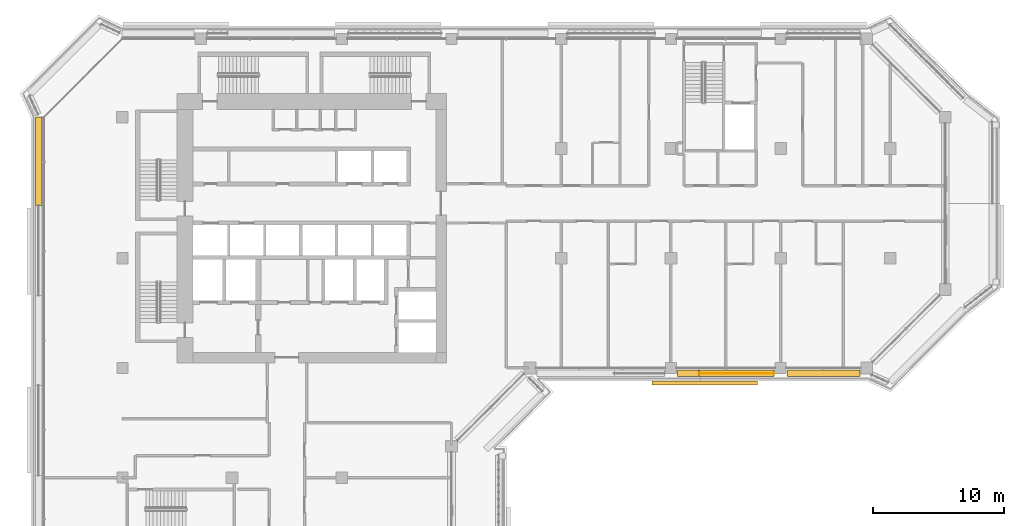
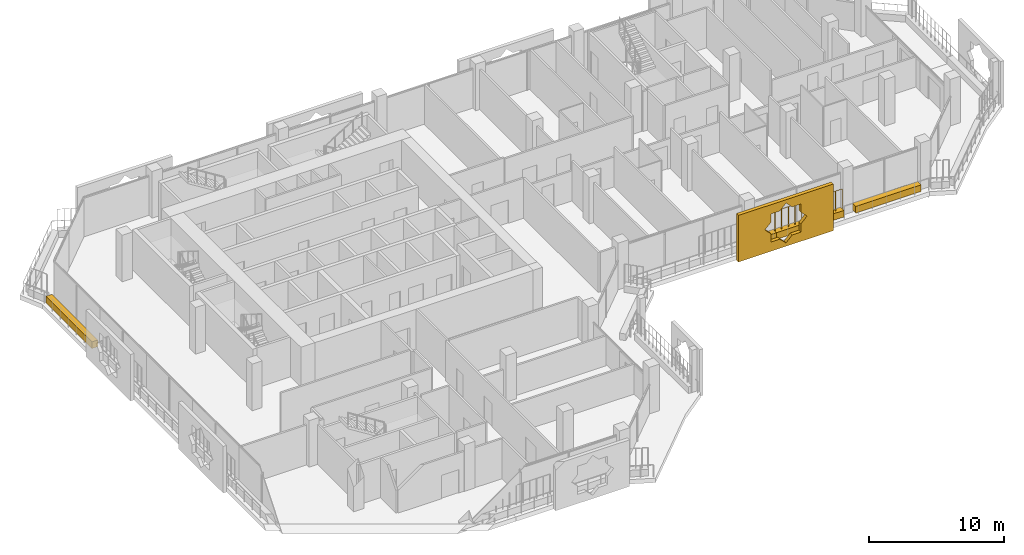
# One storey, part 18 of 21: 5 coverings, 1 railing.
"""IFC4 building model written with IfcOpenShell, lengths in metres."""

import ifcopenshell
import ifcopenshell.guid

model = None  # the IFC model being written
_history = None  # IfcOwnerHistory: only IFC2X3 demands one
_inside = {}  # id of a spatial element -> (the spatial element, [elements in it])
_under = {}  # id of a project, library or spatial element -> (it, [spatial elements below it])
_declared = {}  # id of a project -> (the project, [libraries it declares])
_typed = {}  # id of a type object -> (the type object, [elements of that type])
_made_of = {}  # id of a material, layer set ... -> (it, [elements and type objects made of it])


def new_model(schema):
    """Start an empty IFC model of exactly this schema.

    Asked for "IFC4X3", IfcOpenShell would pick the latest addendum, in which some entities
    have other attributes; the version numbers below select the first issue.
    IFC2X3 requires an IfcOwnerHistory on every rooted entity: one is made here for all.
    """
    global model, _history
    if schema == "IFC4X3":
        model = ifcopenshell.file(schema_version=(4, 3, 0, 0))
    else:
        model = ifcopenshell.file(schema=schema)
    _inside.clear()
    _under.clear()
    _declared.clear()
    _typed.clear()
    _made_of.clear()
    _history = None
    if model.schema == "IFC2X3":
        org = make("IfcOrganization", Name="unknown")
        user = make(
            "IfcPersonAndOrganization",
            ThePerson=make("IfcPerson", FamilyName="unknown"),
            TheOrganization=org,
        )
        app = make(
            "IfcApplication",
            ApplicationDeveloper=org,
            Version="unknown",
            ApplicationFullName="unknown",
            ApplicationIdentifier="unknown",
        )
        _history = make(
            "IfcOwnerHistory",
            OwningUser=user,
            OwningApplication=app,
            ChangeAction="ADDED",
            CreationDate=0,
        )
    return model


def make(cls, **values):
    """One entity of the class cls with the attributes given. An attribute that is None is left unset."""
    return model.create_entity(
        cls, **{name: value for name, value in values.items() if value is not None}
    )


def rooted(cls, **values):
    """An entity with a GlobalId (a new one), such as an element, a storey or a relation."""
    return make(cls, GlobalId=ifcopenshell.guid.new(), OwnerHistory=_history, **values)


def si_unit(unit_type, name, prefix=None):
    """IfcSIUnit, for example si_unit("LENGTHUNIT", "METRE", prefix="MILLI")."""
    return make("IfcSIUnit", UnitType=unit_type, Prefix=prefix, Name=name)


def assignment(units):
    """IfcUnitAssignment: the units of a project."""
    return None if units is None else make("IfcUnitAssignment", Units=units)


def point(xyz):
    """IfcCartesianPoint."""
    return None if xyz is None else make("IfcCartesianPoint", Coordinates=xyz)


def direction(xyz):
    """IfcDirection."""
    return None if xyz is None else make("IfcDirection", DirectionRatios=xyz)


def frame(location, z_axis=None, x_axis=None):
    """IfcAxis2Placement3D, a coordinate frame: its origin and axes. An axis left out is left unset."""
    return make(
        "IfcAxis2Placement3D",
        Location=point(location),
        Axis=direction(z_axis),
        RefDirection=direction(x_axis),
    )


def frame_2d(location, x_axis=None):
    """IfcAxis2Placement2D, a coordinate frame in the plane: its origin and x axis."""
    return make(
        "IfcAxis2Placement2D", Location=point(location), RefDirection=direction(x_axis)
    )


def origin():
    """The frame at (0, 0, 0) with its axes left unset."""
    return frame((0.0, 0.0, 0.0))


def origin_2d():
    """The frame at (0, 0) in the plane with its x axis left unset."""
    return frame_2d((0.0, 0.0))


def place(relative_to, where):
    """IfcLocalPlacement: puts the frame where relative to a parent placement (None: the world)."""
    return make(
        "IfcLocalPlacement", PlacementRelTo=relative_to, RelativePlacement=where
    )


def context(
    kind, dimensions, precision=None, world=None, true_north=None, identifier=None
):
    """IfcGeometricRepresentationContext, for example the 3D "Model" context."""
    return make(
        "IfcGeometricRepresentationContext",
        ContextIdentifier=identifier,
        ContextType=kind,
        CoordinateSpaceDimension=dimensions,
        Precision=precision,
        WorldCoordinateSystem=world,
        TrueNorth=true_north,
    )


def subcontext(parent, identifier, kind, view, scale=None):
    """IfcGeometricRepresentationSubContext, for example "Body" below "Model"."""
    return make(
        "IfcGeometricRepresentationSubContext",
        ContextIdentifier=identifier,
        ContextType=kind,
        ParentContext=parent,
        TargetScale=scale,
        TargetView=view,
    )


def project(units=None, contexts=None):
    """IfcProject with its units and contexts."""
    return rooted(
        "IfcProject",
        Name="project",
        RepresentationContexts=contexts,
        UnitsInContext=assignment(units),
    )


def spatial(cls, under=None, at=None, **own):
    """A site, building, storey or space (cls), placed at a placement, below another one or the project."""
    s = rooted(cls, ObjectPlacement=at, **own)
    if under is not None:
        _under.setdefault(under.id(), (under, []))[1].append(s)
    return s


def polyline(points):
    """IfcPolyline through the points."""
    return make("IfcPolyline", Points=[point(p) for p in points])


def profile(cls, at=None, kind="AREA", **sizes):
    """A parametric profile (cls). Its sizes go by their IFC names, for example OverallWidth=200.0."""
    return make(cls, ProfileType=kind, Position=at, **sizes)


def rectangle(**sizes):
    """IfcRectangleProfileDef."""
    return profile("IfcRectangleProfileDef", **sizes)


def circle(**sizes):
    """IfcCircleProfileDef."""
    return profile("IfcCircleProfileDef", **sizes)


def outline(outer, holes=None, kind="AREA"):
    """IfcArbitraryClosedProfileDef: a profile drawn as a closed curve; with holes, ...WithVoids."""
    if holes is None:
        return make("IfcArbitraryClosedProfileDef", ProfileType=kind, OuterCurve=outer)
    return make(
        "IfcArbitraryProfileDefWithVoids",
        ProfileType=kind,
        OuterCurve=outer,
        InnerCurves=holes,
    )


def extrude(swept, where, along, depth):
    """IfcExtrudedAreaSolid: the profile swept, set in the frame where, extruded along a direction by depth."""
    return make(
        "IfcExtrudedAreaSolid",
        SweptArea=swept,
        Position=where,
        ExtrudedDirection=direction(along),
        Depth=depth,
    )


def shape(context_of_items, identifier, shape_type, items):
    """IfcShapeRepresentation: the items that make up one representation, for example the "Body"."""
    return make(
        "IfcShapeRepresentation",
        ContextOfItems=context_of_items,
        RepresentationIdentifier=identifier,
        RepresentationType=shape_type,
        Items=items,
    )


def material(Name=None, Category=None):
    """IfcMaterial."""
    return make("IfcMaterial", Name=Name, Category=Category)


def material_profile(
    of_material, cross_section, Name=None, Category=None, Priority=None
):
    """IfcMaterialProfile: a cross section and its material."""
    return make(
        "IfcMaterialProfile",
        Name=Name,
        Material=of_material,
        Profile=cross_section,
        Priority=Priority,
        Category=Category,
    )


def profile_set(profiles, Name=None, composite=None):
    """IfcMaterialProfileSet."""
    return make(
        "IfcMaterialProfileSet",
        Name=Name,
        MaterialProfiles=profiles,
        CompositeProfile=composite,
    )


def made_of(thing, what):
    """Note that an element or type object is made of a material, layer set ...; save() writes the relation."""
    if what is not None:
        _made_of.setdefault(what.id(), (what, []))[1].append(thing)
    return thing


def type_object(cls, material=None, **own):
    """A type object (cls), such as IfcWallType, which elements share."""
    return made_of(rooted(cls, **own), material)


def element(
    cls,
    number,
    at=None,
    inside=None,
    cuts=None,
    type_object=None,
    material=None,
    context=None,
    identifier="Body",
    shape_type=None,
    held_by="IfcProductDefinitionShape",
    body=None,
    shapes=None,
    **own,
):
    """One element of the class cls, such as IfcWall. Its Tag is "e" and its number.

    at: its placement. inside: the storey or other place that contains it. cuts: it is an
    opening in that element (IfcRelVoidsElement). A single representation is given by context,
    identifier, shape_type and body (its items); several are given by shapes. held_by: the class
    of the entity that holds the representations. save() writes the other relations.
    """
    e = rooted(cls, Tag="e%d" % number, ObjectPlacement=at, **own)
    if body is not None:
        shapes = [shape(context, identifier, shape_type, body)]
    if shapes is not None:
        e.Representation = make(held_by, Representations=shapes)
    if inside is not None:
        _inside.setdefault(inside.id(), (inside, []))[1].append(e)
    if cuts is not None:
        rooted(
            "IfcRelVoidsElement", RelatingBuildingElement=cuts, RelatedOpeningElement=e
        )
    if type_object is not None:
        _typed.setdefault(type_object.id(), (type_object, []))[1].append(e)
    return made_of(e, material)


def aggregate(whole, parts):
    """IfcRelAggregates: a whole, such as a stair, and the parts it consists of."""
    return rooted("IfcRelAggregates", RelatingObject=whole, RelatedObjects=parts)


def save(model, path):
    """Write the relations noted so far, then the file.

    IfcRelAggregates (storeys below a building ...), IfcRelContainedInSpatialStructure (elements
    in a storey), IfcRelDefinesByType, IfcRelAssociatesMaterial and IfcRelDeclares: one each for
    every whole, place, type object, material and project.
    """
    for whole, parts in _under.values():
        aggregate(whole, parts)
    for where, things in _inside.values():
        rooted(
            "IfcRelContainedInSpatialStructure",
            RelatedElements=things,
            RelatingStructure=where,
        )
    for kind, things in _typed.values():
        rooted("IfcRelDefinesByType", RelatedObjects=things, RelatingType=kind)
    for what, things in _made_of.values():
        rooted("IfcRelAssociatesMaterial", RelatedObjects=things, RelatingMaterial=what)
    for by, libraries in _declared.values():
        rooted("IfcRelDeclares", RelatingContext=by, RelatedDefinitions=libraries)
    model.write(path)


model = new_model("IFC4")

# Units and contexts
model_context = context("Model", 3, precision=1e-05, world=origin(), true_north=direction((0.0, 1.0)))
body_context = subcontext(model_context, "Body", "Model", "MODEL_VIEW")
ifc_project = project(units=[si_unit("LENGTHUNIT", "METRE"), si_unit("AREAUNIT", "SQUARE_METRE"), si_unit("VOLUMEUNIT", "CUBIC_METRE"), si_unit("PLANEANGLEUNIT", "RADIAN"), si_unit("MASSUNIT", "GRAM", prefix="KILO")], contexts=[model_context])

# Site, building, storey
site_placement = place(None, origin())
site = spatial("IfcSite", under=ifc_project, at=site_placement, CompositionType="ELEMENT")
building_placement = place(site_placement, origin())
building = spatial("IfcBuilding", under=site, at=building_placement, Name="Kawkab Arch Medical Tower", CompositionType="ELEMENT")
storey_placement = place(building_placement, frame((0.0, 0.0, 243.199951171875)))
storey = spatial("IfcBuildingStorey", under=building, at=storey_placement, Name="L56", CompositionType="ELEMENT", Elevation=243.199951171875)

# Coverings
ifc_material_1 = material(Name="Bronze anodised aluminium mashrabiya panel, eight-point star pattern", Category="aluminium")
ifc_material_profile_1 = material_profile(ifc_material_1, outline(polyline([(-4.050048828125, -2.10009765625), (4.050048828125, -2.10009765625), (4.050048828125, 2.10009765625), (-4.050048828125, 2.10009765625), (-4.050048828125, -2.10009765625)]), holes=[polyline([(1.800048828125, 0.0), (1.272705078125, 0.527099609375), (1.272705078125, 1.272705078125), (0.527099609375, 1.272705078125), (0.0, 1.800048828125), (-0.527099609375, 1.272705078125), (-1.272705078125, 1.272705078125), (-1.272705078125, 0.527099609375), (-1.800048828125, 0.0), (-1.272705078125, -0.527099609375), (-1.272705078125, -1.272705078125), (-0.527099609375, -1.272705078125), (0.0, -1.800048828125), (0.527099609375, -1.272705078125), (1.272705078125, -1.272705078125), (1.272705078125, -0.527099609375), (1.800048828125, 0.0)])]), Name="Mashrabiya panel 8100x4200")
ifc_profile_set_1 = profile_set([ifc_material_profile_1], Name="Bronze anodised aluminium mashrabiya panel, eight-point star pattern")
covering_type_1 = type_object("IfcCoveringType", Name="Mashrabiya panel 8100 x 4200", PredefinedType="USERDEFINED", material=ifc_profile_set_1)
covering_1_placement = place(storey_placement, frame((44.59228515625, -26.199951171875, 1.699951171875), z_axis=(0.0, -1.0, 0.0), x_axis=(1.0, 0.0, 0.0)))
element("IfcCovering", 1, at=covering_1_placement, inside=storey, type_object=covering_type_1, Name="Mashrabiya panel L56.LOG-01-01.10", ObjectType="SCREEN", PredefinedType="USERDEFINED", context=body_context, shape_type="SweptSolid", body=[
    extrude(outline(polyline([(-4.050048828125, -2.10009765625), (4.050048828125, -2.10009765625), (4.050048828125, 2.10009765625), (-4.050048828125, 2.10009765625), (-4.050048828125, -2.10009765625)]), holes=[polyline([(1.800048828125, 0.0), (1.272705078125, 0.527099609375), (1.272705078125, 1.272705078125), (0.527099609375, 1.272705078125), (0.0, 1.800048828125), (-0.527099609375, 1.272705078125), (-1.272705078125, 1.272705078125), (-1.272705078125, 0.527099609375), (-1.800048828125, 0.0), (-1.272705078125, -0.527099609375), (-1.272705078125, -1.272705078125), (-0.527099609375, -1.272705078125), (0.0, -1.800048828125), (0.527099609375, -1.272705078125), (1.272705078125, -1.272705078125), (1.272705078125, -0.527099609375), (1.800048828125, 0.0)])]), origin(), (0.0, 0.0, 1.0), 0.300048828125),
])
ifc_material_2 = material(Name="Planting soil in a precast trough", Category="concrete")
ifc_material_profile_2 = material_profile(ifc_material_2, rectangle(XDim=0.5, YDim=0.60009765625, at=origin_2d()), Name="Trough 500x600")
ifc_profile_set_2 = profile_set([ifc_material_profile_2], Name="Planting soil in a precast trough")
covering_type_2 = type_object("IfcCoveringType", Name="Planter trough 500 x 600", PredefinedType="USERDEFINED", material=ifc_profile_set_2)
covering_2_placement = place(storey_placement, frame((-6.419921875, -12.763916015625, 0.300048828125), z_axis=(0.0, 1.0, 0.0), x_axis=(-1.0, 0.0, 0.0)))
element("IfcCovering", 2, at=covering_2_placement, inside=storey, type_object=covering_type_2, Name="Planter L56.LOG-01-01.12", ObjectType="PLANTER", PredefinedType="USERDEFINED", context=body_context, shape_type="SweptSolid", body=[
    extrude(rectangle(XDim=0.5, YDim=0.60009765625, at=origin_2d()), origin(), (0.0, 0.0, 1.0), 6.789794921875),
])
covering_3_placement = place(storey_placement, frame((56.469970703125, -25.6201171875, 0.300048828125), z_axis=(-1.0, 0.0, 0.0), x_axis=(0.0, -1.0, 0.0)))
element("IfcCovering", 3, at=covering_3_placement, inside=storey, type_object=covering_type_2, Name="Planter L56.LOG-01-01.32", ObjectType="PLANTER", PredefinedType="USERDEFINED", context=body_context, shape_type="SweptSolid", body=[
    extrude(rectangle(XDim=0.5, YDim=0.60009765625, at=origin_2d()), origin(), (0.0, 0.0, 1.0), 5.56494140625),
])
covering_4_placement = place(storey_placement, frame((49.89501953125, -25.6201171875, 0.300048828125), z_axis=(-1.0, 0.0, 0.0), x_axis=(0.0, -1.0, 0.0)))
element("IfcCovering", 4, at=covering_4_placement, inside=storey, type_object=covering_type_2, Name="Planter L56.LOG-01-01.33", ObjectType="PLANTER", PredefinedType="USERDEFINED", context=body_context, shape_type="SweptSolid", body=[
    extrude(rectangle(XDim=0.5, YDim=0.60009765625, at=origin_2d()), origin(), (0.0, 0.0, 1.0), 5.739990234375),
])
covering_5_placement = place(storey_placement, frame((44.155029296875, -25.6201171875, 0.300048828125), z_axis=(-1.0, 0.0, 0.0), x_axis=(0.0, -1.0, 0.0)))
element("IfcCovering", 5, at=covering_5_placement, inside=storey, type_object=covering_type_2, Name="Planter L56.LOG-01-01.34", ObjectType="PLANTER", PredefinedType="USERDEFINED", context=body_context, shape_type="SweptSolid", body=[
    extrude(rectangle(XDim=0.5, YDim=0.60009765625, at=origin_2d()), origin(), (0.0, 0.0, 1.0), 1.650146484375),
])

# Railing
ifc_material_3 = material(Name="Bronze anodised aluminium trellis for climbing plants", Category="aluminium")
railing_type = type_object("IfcRailingType", Name="Planting trellis 2400", PredefinedType="USERDEFINED", material=ifc_material_3)
railing_placement = place(storey_placement, frame((49.89501953125, -25.6201171875, 0.0)))
element("IfcRailing", 6, at=railing_placement, inside=storey, type_object=railing_type, Name="Planting trellis L56.LOG-01-01.33", ObjectType="TRELLIS", PredefinedType="USERDEFINED", context=body_context, shape_type="SweptSolid", body=[
    extrude(circle(Radius=0.01513671875, at=origin_2d()), frame((0.0, 0.0, 2.384765625), z_axis=(-1.0, 0.0, 0.0), x_axis=(0.0, -1.0, 0.0)), (0.0, 0.0, 1.0), 5.739990234375),
    extrude(circle(Radius=0.030029296875, at=origin_2d()), origin(), (0.0, 0.0, 1.0), 2.369873046875),
    extrude(circle(Radius=0.030029296875, at=origin_2d()), frame((-0.573974609375, 0.0, 0.0)), (0.0, 0.0, 1.0), 2.369873046875),
    extrude(circle(Radius=0.030029296875, at=origin_2d()), frame((-1.14794921875, 0.0, 0.0)), (0.0, 0.0, 1.0), 2.369873046875),
    extrude(circle(Radius=0.030029296875, at=origin_2d()), frame((-1.721923828125, 0.0, 0.0)), (0.0, 0.0, 1.0), 2.369873046875),
    extrude(circle(Radius=0.030029296875, at=origin_2d()), frame((-2.2958984375, 0.0, 0.0)), (0.0, 0.0, 1.0), 2.369873046875),
    extrude(circle(Radius=0.030029296875, at=origin_2d()), frame((-2.8701171875, 0.0, 0.0)), (0.0, 0.0, 1.0), 2.369873046875),
    extrude(circle(Radius=0.030029296875, at=origin_2d()), frame((-3.444091796875, 0.0, 0.0)), (0.0, 0.0, 1.0), 2.369873046875),
    extrude(circle(Radius=0.030029296875, at=origin_2d()), frame((-4.01806640625, 0.0, 0.0)), (0.0, 0.0, 1.0), 2.369873046875),
    extrude(circle(Radius=0.030029296875, at=origin_2d()), frame((-4.592041015625, 0.0, 0.0)), (0.0, 0.0, 1.0), 2.369873046875),
    extrude(circle(Radius=0.030029296875, at=origin_2d()), frame((-5.166015625, 0.0, 0.0)), (0.0, 0.0, 1.0), 2.369873046875),
    extrude(circle(Radius=0.030029296875, at=origin_2d()), frame((-5.739990234375, 0.0, 0.0)), (0.0, 0.0, 1.0), 2.369873046875),
])

save(model, "model.ifc")
